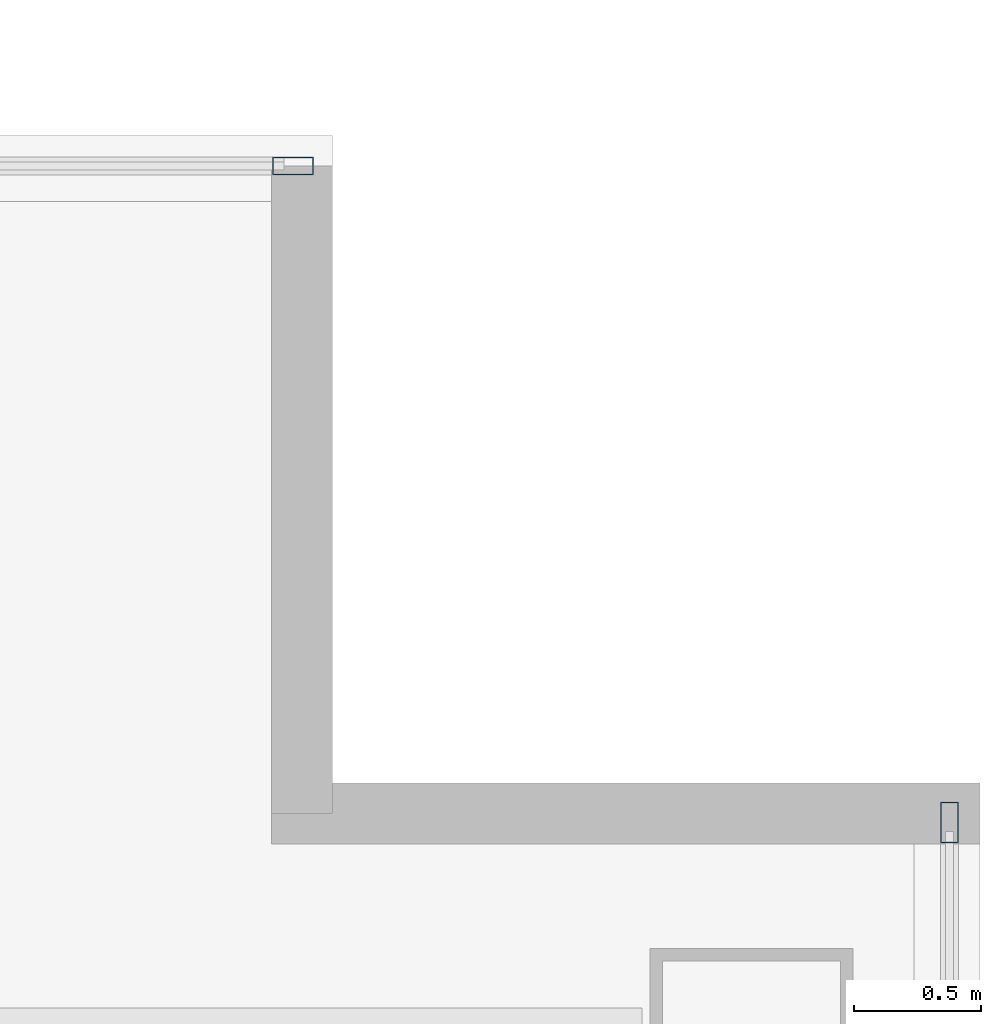
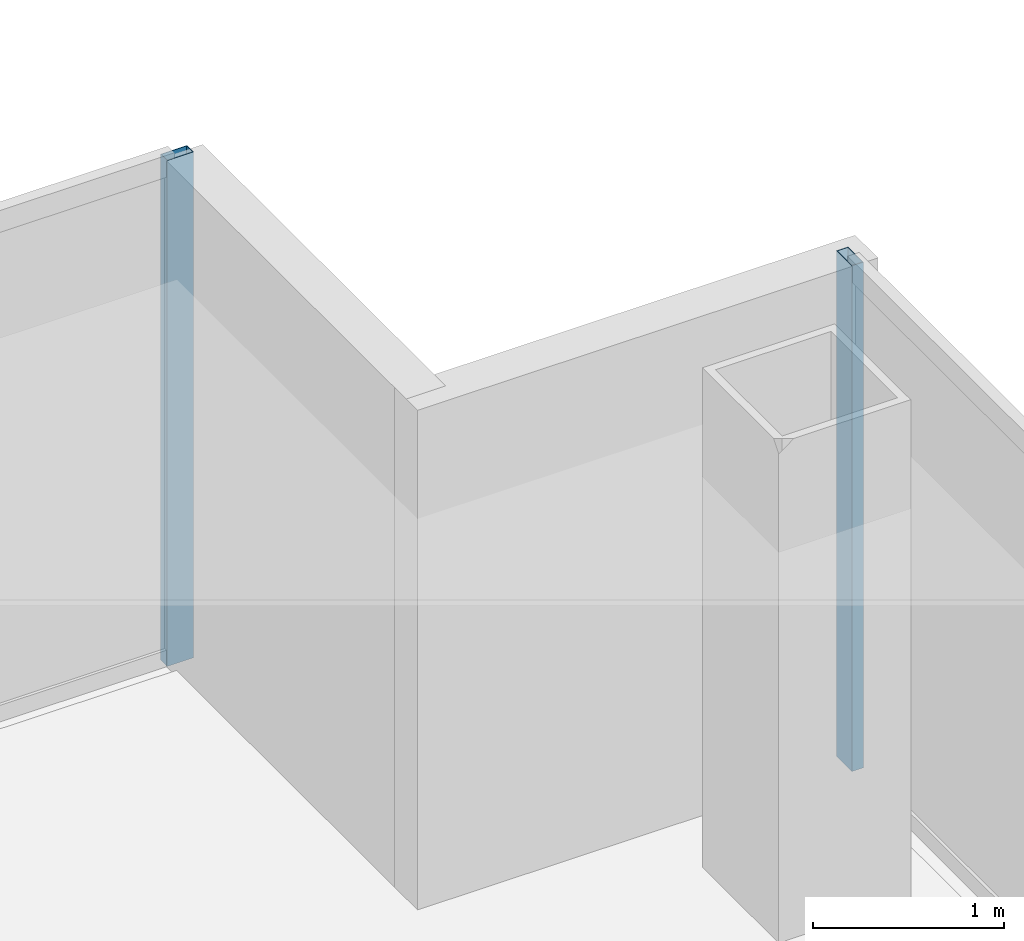
# One storey, part 16 of 23: 2 members, 2 elements without a shape of their own.
"""IFC4 building model written with IfcOpenShell, lengths in metres."""

from ifc_helpers import new_model, si_unit, direction, frame, origin, origin_2d, place, context, subcontext, project, spatial, hollow_rectangle, extrude, material, material_profile, profile_set, type_object, element, aggregate, save


model = new_model("IFC4")

# Units and contexts
model_context = context("Model", 3, precision=1e-05, world=origin(), true_north=direction((0.0, 1.0)))
body_context = subcontext(model_context, "Body", "Model", "MODEL_VIEW")
ifc_project = project(units=[si_unit("LENGTHUNIT", "METRE"), si_unit("AREAUNIT", "SQUARE_METRE"), si_unit("VOLUMEUNIT", "CUBIC_METRE"), si_unit("PLANEANGLEUNIT", "RADIAN"), si_unit("MASSUNIT", "GRAM", prefix="KILO")], contexts=[model_context])

# Site, building, storey
site_placement = place(None, origin())
site = spatial("IfcSite", under=ifc_project, at=site_placement, CompositionType="ELEMENT")
building_placement = place(site_placement, origin())
building = spatial("IfcBuilding", under=site, at=building_placement, Name="Cobrela Telecom Tower", CompositionType="ELEMENT")
storey_placement = place(building_placement, frame((0.0, 0.0, 187.25)))
storey = spatial("IfcBuildingStorey", under=building, at=storey_placement, Name="L47", CompositionType="ELEMENT", Elevation=187.25)

# Curtain wall, member
ifc_material = material(Name="Anodized Bronze Aluminium 6063-T6", Category="aluminium")
curtain_wall_type = type_object("IfcCurtainWallType", Name="CW-SYS-OFF-LO", PredefinedType="USERDEFINED", material=ifc_material)
curtain_wall_1_placement = place(storey_placement, origin())
curtain_wall_1 = element("IfcCurtainWall", 1, at=curtain_wall_1_placement, inside=storey, type_object=curtain_wall_type, Name="L47 Unitised Bronze Curtain Wall 11", ObjectType="UNITISED CURTAIN WALL", PredefinedType="USERDEFINED")
ifc_material_profile = material_profile(ifc_material, hollow_rectangle(XDim=0.070068359375, YDim=0.159912109375, WallThickness=0.00390625, at=origin_2d()), Name="ALU 70x160x4")
ifc_profile_set = profile_set([ifc_material_profile], Name="Anodized Bronze Aluminium 6063-T6")
member_type = type_object("IfcMemberType", Name="CW-SYS-OFF-LO-MUL", PredefinedType="MULLION", material=ifc_profile_set)
member_1_placement = place(storey_placement, frame((41.294921875, 25.080078125, 0.0), z_axis=(0.0, 0.0, 1.0), x_axis=(0.0, 1.0, 0.0)))
member_1 = element("IfcMember", 2, at=member_1_placement, type_object=member_type, Name="CW-OFF-LO mullion 3", PredefinedType="MULLION", context=body_context, shape_type="SweptSolid", body=[
    extrude(hollow_rectangle(XDim=0.070068359375, YDim=0.159912109375, WallThickness=0.00390625, at=origin_2d()), origin(), (0.0, 0.0, 1.0), 3.239990234375),
])
aggregate(curtain_wall_1, [member_1])

curtain_wall_2_placement = place(storey_placement, origin())
curtain_wall_2 = element("IfcCurtainWall", 3, at=curtain_wall_2_placement, inside=storey, type_object=curtain_wall_type, Name="L47 Unitised Bronze Curtain Wall 14", ObjectType="UNITISED CURTAIN WALL", PredefinedType="USERDEFINED")
member_2_placement = place(storey_placement, frame((43.8798828125, 22.4951171875, 0.0), z_axis=(0.0, 0.0, 1.0), x_axis=(1.0, 0.0, 0.0)))
member_2 = element("IfcMember", 4, at=member_2_placement, type_object=member_type, Name="CW-OFF-LO mullion 1", PredefinedType="MULLION", context=body_context, shape_type="SweptSolid", body=[
    extrude(hollow_rectangle(XDim=0.070068359375, YDim=0.159912109375, WallThickness=0.00390625, at=origin_2d()), origin(), (0.0, 0.0, 1.0), 3.239990234375),
])
aggregate(curtain_wall_2, [member_2])

save(model, "model.ifc")
